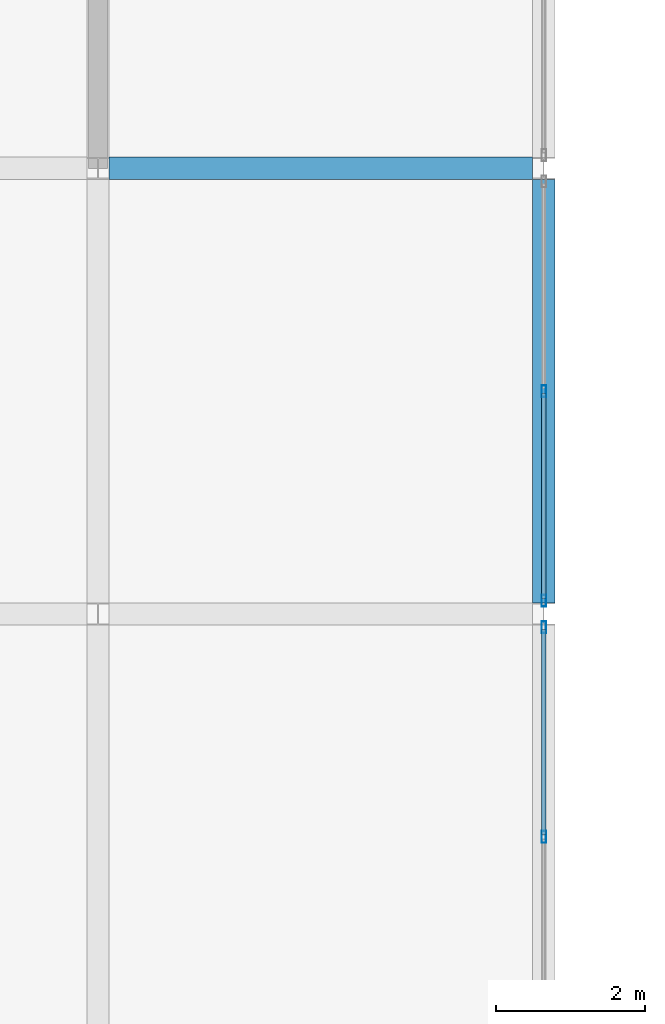
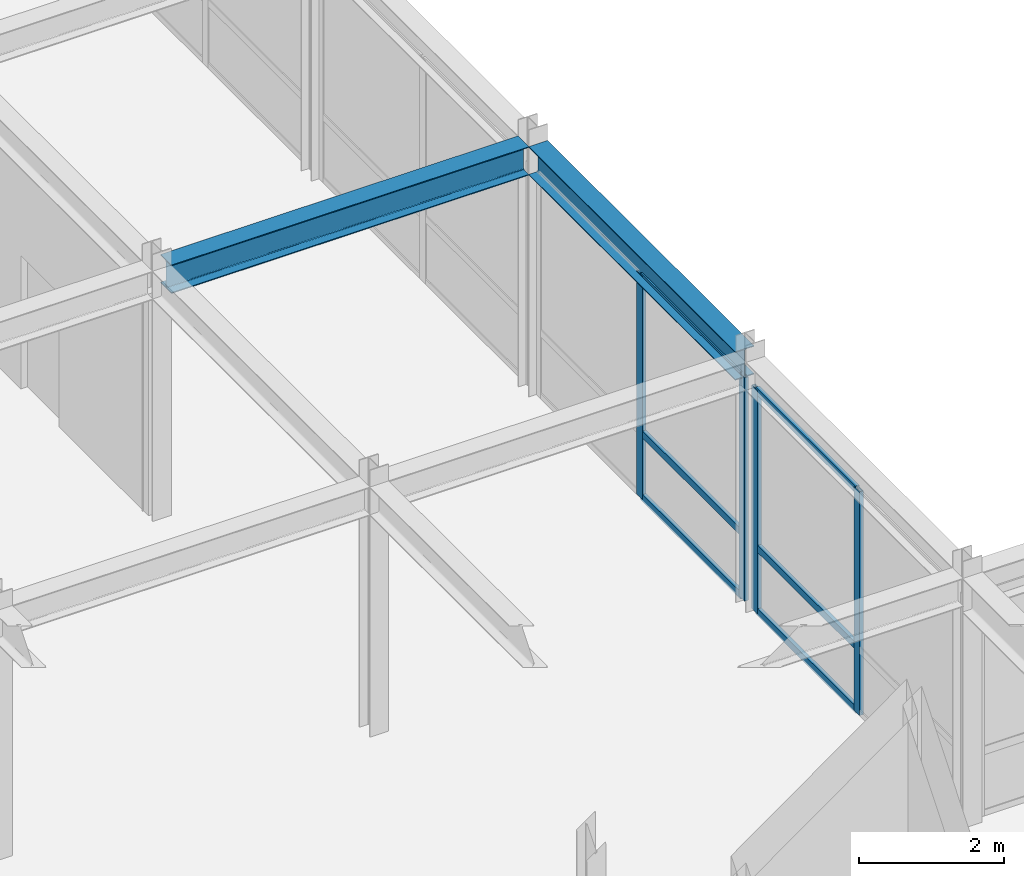
# One storey, part 62 of 108: 10 members, 2 beams, 2 elements without a shape of their own.
"""IFC4 building model written with IfcOpenShell, lengths in metres."""

from ifc_helpers import new_model, si_unit, direction, frame, origin, origin_2d, place, context, subcontext, project, spatial, hollow_rectangle, i_section, extrude, material, layer, layer_set, material_profile, profile_set, type_object, element, aggregate, save


model = new_model("IFC4")

# Units and contexts
model_context = context("Model", 3, precision=1e-05, world=origin(), true_north=direction((0.0, 1.0)))
body_context = subcontext(model_context, "Body", "Model", "MODEL_VIEW")
ifc_project = project(units=[si_unit("LENGTHUNIT", "METRE"), si_unit("AREAUNIT", "SQUARE_METRE"), si_unit("VOLUMEUNIT", "CUBIC_METRE"), si_unit("PLANEANGLEUNIT", "RADIAN"), si_unit("MASSUNIT", "GRAM", prefix="KILO")], contexts=[model_context])

# Site, building, storey
site_placement = place(None, origin())
site = spatial("IfcSite", under=ifc_project, at=site_placement, CompositionType="ELEMENT")
building_placement = place(site_placement, origin())
building = spatial("IfcBuilding", under=site, at=building_placement, Name="Zlatovratsky Civic Hall", CompositionType="ELEMENT")
storey_placement = place(building_placement, frame((0.0, 0.0, 12.0)))
storey = spatial("IfcBuildingStorey", under=building, at=storey_placement, Name="L03", CompositionType="ELEMENT", Elevation=12.0)

# Beams
ifc_material_1 = material(Name="Steel S355", Category="steel")
ifc_material_profile_1 = material_profile(ifc_material_1, i_section(OverallWidth=0.300048828125, OverallDepth=0.48193359375, WebThickness=0.010986328125, FlangeThickness=0.014892578125, FilletRadius=0.02392578125, at=origin_2d()), Name="50Sh1")
ifc_profile_set_1 = profile_set([ifc_material_profile_1], Name="Steel S355")
beam_type = type_object("IfcBeamType", Name="Beam_LibraryGirder_50Sh1", PredefinedType="BEAM", material=ifc_profile_set_1)
beam_1_placement = place(storey_placement, frame((114.1494140625, 42.0, 3.97900390625), z_axis=(1.0, 0.0, 0.0), x_axis=(0.0, 1.0, 0.0)))
element("IfcBeam", 1, at=beam_1_placement, inside=storey, type_object=beam_type, Name="BM-2572", PredefinedType="BEAM", context=body_context, shape_type="SweptSolid", body=[
    extrude(i_section(OverallWidth=0.300048828125, OverallDepth=0.48193359375, WebThickness=0.010986328125, FlangeThickness=0.014892578125, FilletRadius=0.02392578125, at=origin_2d()), origin(), (0.0, 0.0, 1.0), 5.701171875),
])
beam_2_placement = place(storey_placement, frame((120.0, 36.14794921875, 3.97900390625), z_axis=(0.0, 1.0, 0.0), x_axis=(-1.0, 0.0, 0.0)))
element("IfcBeam", 2, at=beam_2_placement, inside=storey, type_object=beam_type, Name="BM-3034", PredefinedType="BEAM", context=body_context, shape_type="SweptSolid", body=[
    extrude(i_section(OverallWidth=0.300048828125, OverallDepth=0.48193359375, WebThickness=0.010986328125, FlangeThickness=0.014892578125, FilletRadius=0.02392578125, at=origin_2d()), origin(), (0.0, 0.0, 1.0), 5.7041015625),
])

# Curtain wall, members
ifc_material_2 = material(Name="Anodised bronze aluminium", Category="aluminium")
ifc_layer = layer(ifc_material_2, 0.159912109375)
ifc_layer_set = layer_set([ifc_layer], Name="Anodised bronze aluminium")
curtain_wall_type = type_object("IfcCurtainWallType", Name="CurtainWall_Bronze_5700x3770_12", PredefinedType="NOTDEFINED", material=ifc_layer_set)
curtain_wall_1_placement = place(storey_placement, origin())
curtain_wall_1 = element("IfcCurtainWall", 3, at=curtain_wall_1_placement, inside=storey, type_object=curtain_wall_type, Name="CW-075", PredefinedType="NOTDEFINED")
ifc_material_profile_2 = material_profile(ifc_material_2, hollow_rectangle(XDim=0.06005859375, YDim=0.159912109375, WallThickness=0.00390625, at=origin_2d()), Name="ALU 60x160x4")
ifc_profile_set_2 = profile_set([ifc_material_profile_2], Name="Anodised bronze aluminium")
member_type_1 = type_object("IfcMemberType", Name="CW_Mullion_60x160", PredefinedType="MULLION", material=ifc_profile_set_2)
member_1_placement = place(storey_placement, frame((120.0, 33.0, 0.0), z_axis=(0.0, 0.0, 1.0), x_axis=(-1.0, 0.0, 0.0)))
member_1 = element("IfcMember", 4, at=member_1_placement, type_object=member_type_1, Name="CW-12 mullion 2", PredefinedType="MULLION", context=body_context, shape_type="SweptSolid", body=[
    extrude(hollow_rectangle(XDim=0.06005859375, YDim=0.159912109375, WallThickness=0.00390625, at=origin_2d()), origin(), (0.0, 0.0, 1.0), 3.77001953125),
])
member_2_placement = place(storey_placement, frame((120.0, 35.822021484375, 0.0), z_axis=(0.0, 0.0, 1.0), x_axis=(-1.0, 0.0, 0.0)))
member_2 = element("IfcMember", 5, at=member_2_placement, type_object=member_type_1, Name="CW-12 mullion 3", PredefinedType="MULLION", context=body_context, shape_type="SweptSolid", body=[
    extrude(hollow_rectangle(XDim=0.06005859375, YDim=0.159912109375, WallThickness=0.00390625, at=origin_2d()), origin(), (0.0, 0.0, 1.0), 3.77001953125),
])

curtain_wall_2_placement = place(storey_placement, origin())
curtain_wall_2 = element("IfcCurtainWall", 6, at=curtain_wall_2_placement, inside=storey, type_object=curtain_wall_type, Name="CW-076", PredefinedType="NOTDEFINED")
member_3_placement = place(storey_placement, frame((120.0, 36.177978515625, 0.0), z_axis=(0.0, 0.0, 1.0), x_axis=(-1.0, 0.0, 0.0)))
member_3 = element("IfcMember", 7, at=member_3_placement, type_object=member_type_1, Name="CW-12 mullion 1", PredefinedType="MULLION", context=body_context, shape_type="SweptSolid", body=[
    extrude(hollow_rectangle(XDim=0.06005859375, YDim=0.159912109375, WallThickness=0.00390625, at=origin_2d()), origin(), (0.0, 0.0, 1.0), 3.77001953125),
])
member_4_placement = place(storey_placement, frame((120.0, 39.0, 0.0), z_axis=(0.0, 0.0, 1.0), x_axis=(-1.0, 0.0, 0.0)))
member_4 = element("IfcMember", 8, at=member_4_placement, type_object=member_type_1, Name="CW-12 mullion 2", PredefinedType="MULLION", context=body_context, shape_type="SweptSolid", body=[
    extrude(hollow_rectangle(XDim=0.06005859375, YDim=0.159912109375, WallThickness=0.00390625, at=origin_2d()), origin(), (0.0, 0.0, 1.0), 3.77001953125),
])

# Member
ifc_material_profile_3 = material_profile(ifc_material_2, hollow_rectangle(XDim=0.06005859375, YDim=0.1201171875, WallThickness=0.00390625, at=origin_2d()), Name="ALU 60x120x4")
ifc_profile_set_3 = profile_set([ifc_material_profile_3], Name="Anodised bronze aluminium")
member_type_2 = type_object("IfcMemberType", Name="CW_Transom_60x120", PredefinedType="USERDEFINED", material=ifc_profile_set_3)
member_5_placement = place(storey_placement, frame((120.0, 33.030029296875, 0.030029296875), z_axis=(0.0, 1.0, 0.0), x_axis=(-1.0, 0.0, 0.0)))
member_5 = element("IfcMember", 9, at=member_5_placement, type_object=member_type_2, Name="CW-12 transom 2.1", ObjectType="TRANSOM", PredefinedType="USERDEFINED", context=body_context, shape_type="SweptSolid", body=[
    extrude(hollow_rectangle(XDim=0.06005859375, YDim=0.1201171875, WallThickness=0.00390625, at=origin_2d()), origin(), (0.0, 0.0, 1.0), 2.761962890625),
])

member_6_placement = place(storey_placement, frame((120.0, 33.030029296875, 1.10009765625), z_axis=(0.0, 1.0, 0.0), x_axis=(-1.0, 0.0, 0.0)))
member_6 = element("IfcMember", 10, at=member_6_placement, type_object=member_type_2, Name="CW-12 transom 2.2", ObjectType="TRANSOM", PredefinedType="USERDEFINED", context=body_context, shape_type="SweptSolid", body=[
    extrude(hollow_rectangle(XDim=0.06005859375, YDim=0.1201171875, WallThickness=0.00390625, at=origin_2d()), origin(), (0.0, 0.0, 1.0), 2.761962890625),
])

member_7_placement = place(storey_placement, frame((120.0, 33.030029296875, 3.739990234375), z_axis=(0.0, 1.0, 0.0), x_axis=(-1.0, 0.0, 0.0)))
member_7 = element("IfcMember", 11, at=member_7_placement, type_object=member_type_2, Name="CW-12 transom 2.3", ObjectType="TRANSOM", PredefinedType="USERDEFINED", context=body_context, shape_type="SweptSolid", body=[
    extrude(hollow_rectangle(XDim=0.06005859375, YDim=0.1201171875, WallThickness=0.00390625, at=origin_2d()), origin(), (0.0, 0.0, 1.0), 2.761962890625),
])

aggregate(curtain_wall_1, [member_1, member_2, member_5, member_6, member_7])

member_8_placement = place(storey_placement, frame((120.0, 36.2080078125, 0.030029296875), z_axis=(0.0, 1.0, 0.0), x_axis=(-1.0, 0.0, 0.0)))
member_8 = element("IfcMember", 12, at=member_8_placement, type_object=member_type_2, Name="CW-12 transom 1.1", ObjectType="TRANSOM", PredefinedType="USERDEFINED", context=body_context, shape_type="SweptSolid", body=[
    extrude(hollow_rectangle(XDim=0.06005859375, YDim=0.1201171875, WallThickness=0.00390625, at=origin_2d()), origin(), (0.0, 0.0, 1.0), 2.761962890625),
])

member_9_placement = place(storey_placement, frame((120.0, 36.2080078125, 1.10009765625), z_axis=(0.0, 1.0, 0.0), x_axis=(-1.0, 0.0, 0.0)))
member_9 = element("IfcMember", 13, at=member_9_placement, type_object=member_type_2, Name="CW-12 transom 1.2", ObjectType="TRANSOM", PredefinedType="USERDEFINED", context=body_context, shape_type="SweptSolid", body=[
    extrude(hollow_rectangle(XDim=0.06005859375, YDim=0.1201171875, WallThickness=0.00390625, at=origin_2d()), origin(), (0.0, 0.0, 1.0), 2.761962890625),
])

member_10_placement = place(storey_placement, frame((120.0, 36.2080078125, 3.739990234375), z_axis=(0.0, 1.0, 0.0), x_axis=(-1.0, 0.0, 0.0)))
member_10 = element("IfcMember", 14, at=member_10_placement, type_object=member_type_2, Name="CW-12 transom 1.3", ObjectType="TRANSOM", PredefinedType="USERDEFINED", context=body_context, shape_type="SweptSolid", body=[
    extrude(hollow_rectangle(XDim=0.06005859375, YDim=0.1201171875, WallThickness=0.00390625, at=origin_2d()), origin(), (0.0, 0.0, 1.0), 2.761962890625),
])

aggregate(curtain_wall_2, [member_3, member_4, member_8, member_9, member_10])

save(model, "model.ifc")
